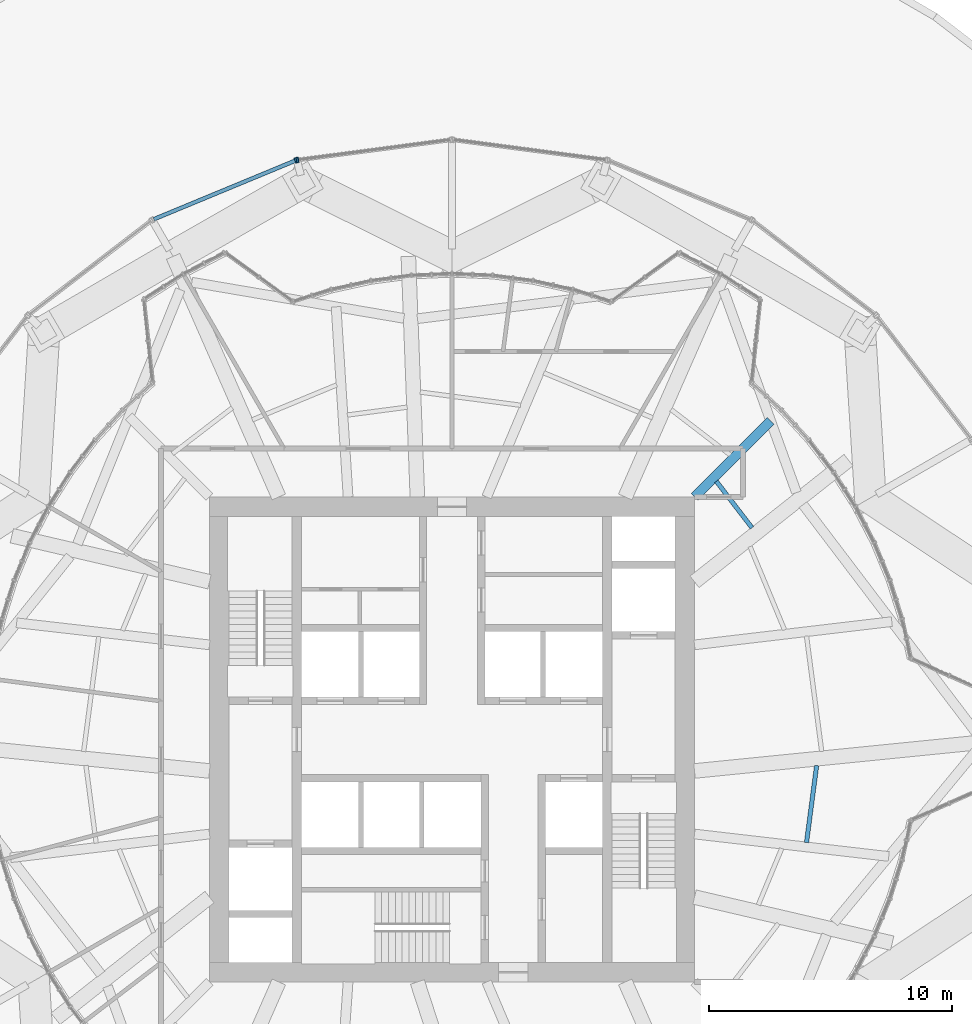
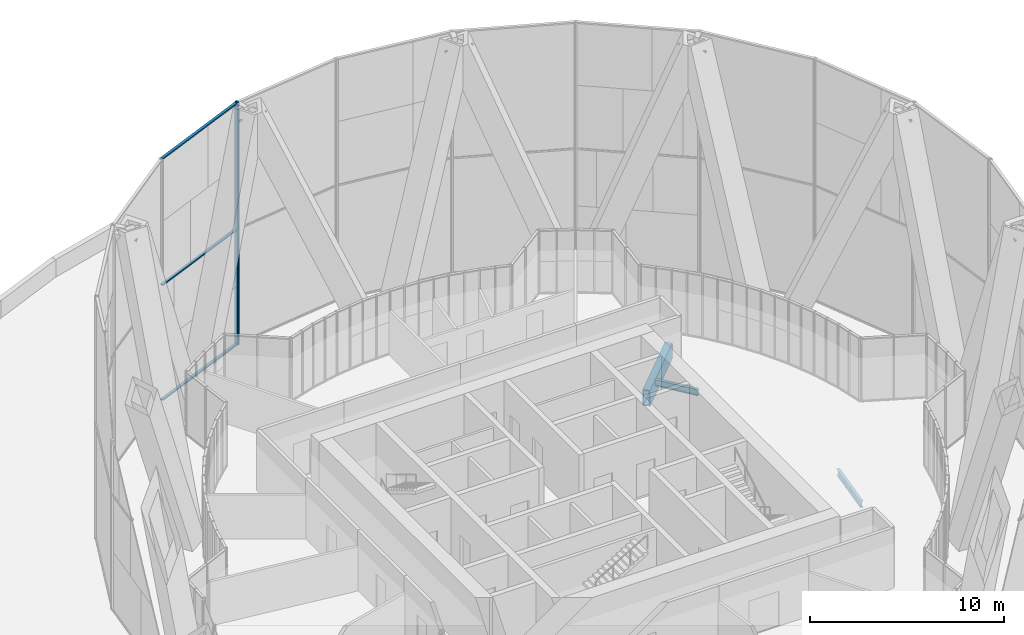
# One storey, part 7 of 27: 5 members, 3 beams, 2 elements without a shape of their own.
"""IFC4 building model written with IfcOpenShell, lengths in metres."""

from ifc_helpers import new_model, si_unit, direction, frame, origin, origin_2d, place, context, subcontext, project, spatial, rectangle, hollow_rectangle, i_section, extrude, material, material_profile, profile_set, type_object, element, aggregate, save


model = new_model("IFC4")

# Units and contexts
model_context = context("Model", 3, precision=1e-05, world=origin(), true_north=direction((0.0, 1.0)))
body_context = subcontext(model_context, "Body", "Model", "MODEL_VIEW")
ifc_project = project(units=[si_unit("LENGTHUNIT", "METRE"), si_unit("AREAUNIT", "SQUARE_METRE"), si_unit("VOLUMEUNIT", "CUBIC_METRE"), si_unit("PLANEANGLEUNIT", "RADIAN"), si_unit("MASSUNIT", "GRAM", prefix="KILO")], contexts=[model_context])

# Site, building, storey
site_placement = place(None, origin())
site = spatial("IfcSite", under=ifc_project, at=site_placement, CompositionType="ELEMENT")
building_placement = place(site_placement, origin())
building = spatial("IfcBuilding", under=site, at=building_placement, Name="Golbaran Civic Tower", CompositionType="ELEMENT")
storey_placement = place(building_placement, frame((0.0, 0.0, 21.0)))
storey = spatial("IfcBuildingStorey", under=building, at=storey_placement, Name="L04", CompositionType="ELEMENT", Elevation=21.0)

# Beams
ifc_material_1 = material(Name="Steel S355", Category="steel")
ifc_material_profile_1 = material_profile(ifc_material_1, i_section(OverallWidth=0.179931640625, OverallDepth=0.39990234375, WebThickness=0.008544921875, FlangeThickness=0.013427734375, FilletRadius=0.02099609375, at=origin_2d()), Name="IPE 400")
ifc_profile_set_1 = profile_set([ifc_material_profile_1], Name="Steel S355")
beam_type_1 = type_object("IfcBeamType", Name="FLOOR INFILL BEAM IPE 400", PredefinedType="BEAM", material=ifc_profile_set_1)
beam_1_placement = place(storey_placement, frame((12.368896484375, 8.72900390625, -0.39990234375), z_axis=(-0.608732944488, 0.79337519642, 0.0), x_axis=(-0.79337519642, -0.608732944488, 0.0)))
element("IfcBeam", 1, at=beam_1_placement, inside=storey, type_object=beam_type_1, Name="Infill beam 37.50 L04", PredefinedType="BEAM", context=body_context, shape_type="SweptSolid", body=[
    extrude(i_section(OverallWidth=0.179931640625, OverallDepth=0.39990234375, WebThickness=0.008544921875, FlangeThickness=0.013427734375, FilletRadius=0.02099609375, at=origin_2d()), origin(), (0.0, 0.0, 1.0), 2.414306640625),
])
beam_2_placement = place(storey_placement, frame((14.6181640625, -4.25244140625, -0.39990234375), z_axis=(0.130535378914, 0.991443651879, 0.0), x_axis=(-0.991443651879, 0.130535378914, 0.0)))
element("IfcBeam", 2, at=beam_2_placement, inside=storey, type_object=beam_type_1, Name="Infill beam 352.50 L04", PredefinedType="BEAM", context=body_context, shape_type="SweptSolid", body=[
    extrude(i_section(OverallWidth=0.179931640625, OverallDepth=0.39990234375, WebThickness=0.008544921875, FlangeThickness=0.013427734375, FilletRadius=0.02099609375, at=origin_2d()), origin(), (0.0, 0.0, 1.0), 3.201904296875),
])

# Curtain wall, member
ifc_material_2 = material(Name="Aluminium and glass", Category="aluminium")
curtain_wall_type = type_object("IfcCurtainWallType", Name="OUTER SKIN TERRACOTTA SCREEN", PredefinedType="NOTDEFINED", material=ifc_material_2)
curtain_wall_1_placement = place(storey_placement, origin())
curtain_wall_1 = element("IfcCurtainWall", 3, at=curtain_wall_1_placement, inside=storey, type_object=curtain_wall_type, Name="Outer skin L04 facet 7 CW3", ObjectType="OUTER SKIN", PredefinedType="USERDEFINED")
ifc_material_3 = material(Name="Aluminium", Category="aluminium")
ifc_material_profile_2 = material_profile(ifc_material_3, rectangle(XDim=0.219970703125, YDim=0.080078125, at=origin_2d()), Name="OUTER SKIN TERRACOTTA SCREEN MULLION")
ifc_profile_set_2 = profile_set([ifc_material_profile_2], Name="Aluminium")
member_type_1 = type_object("IfcMemberType", Name="OUTER SKIN TERRACOTTA SCREEN MULLION", PredefinedType="MULLION", material=ifc_profile_set_2)
member_1_placement = place(storey_placement, frame((-6.3623046875, 23.8974609375, 0.0), z_axis=(0.0, 0.0, 1.0), x_axis=(0.130526192255, -0.991444861369, 0.0)))
member_1 = element("IfcMember", 4, at=member_1_placement, type_object=member_type_1, Name="CW3 mullion 2", PredefinedType="MULLION", context=body_context, shape_type="SweptSolid", body=[
    extrude(rectangle(XDim=0.219970703125, YDim=0.080078125, at=origin_2d()), origin(), (0.0, 0.0, 1.0), 15.2900390625),
])
aggregate(curtain_wall_1, [member_1])

# Curtain wall, members
curtain_wall_2_placement = place(storey_placement, origin())
curtain_wall_2 = element("IfcCurtainWall", 5, at=curtain_wall_2_placement, inside=storey, type_object=curtain_wall_type, Name="Outer skin L04 facet 8 CW3", ObjectType="OUTER SKIN", PredefinedType="USERDEFINED")
member_2_placement = place(storey_placement, frame((-6.43896484375, 23.876953125, 0.0), z_axis=(0.0, 0.0, 1.0), x_axis=(0.382683432301, -0.923879532538, 0.0)))
member_2 = element("IfcMember", 6, at=member_2_placement, type_object=member_type_1, Name="CW3 mullion 1", PredefinedType="MULLION", context=body_context, shape_type="SweptSolid", body=[
    extrude(rectangle(XDim=0.219970703125, YDim=0.080078125, at=origin_2d()), origin(), (0.0, 0.0, 1.0), 15.2900390625),
])
ifc_material_profile_3 = material_profile(ifc_material_3, rectangle(XDim=0.159912109375, YDim=0.080078125, at=origin_2d()), Name="OUTER SKIN TERRACOTTA SCREEN TRANSOM")
ifc_profile_set_3 = profile_set([ifc_material_profile_3], Name="Aluminium")
member_type_2 = type_object("IfcMemberType", Name="OUTER SKIN TERRACOTTA SCREEN TRANSOM", PredefinedType="USERDEFINED", material=ifc_profile_set_3)
member_3_placement = place(storey_placement, frame((-6.475830078125, 23.861572265625, 0.0400390625), z_axis=(-0.923875546328, -0.38269305572, 0.0), x_axis=(0.38269305572, -0.923875546328, 0.0)))
member_3 = element("IfcMember", 7, at=member_3_placement, type_object=member_type_2, Name="CW3 transom 1.1", ObjectType="TRANSOM", PredefinedType="USERDEFINED", context=body_context, shape_type="SweptSolid", body=[
    extrude(rectangle(XDim=0.159912109375, YDim=0.080078125, at=origin_2d()), origin(), (0.0, 0.0, 1.0), 6.29736328125),
])
member_4_placement = place(storey_placement, frame((-6.475830078125, 23.861572265625, 7.2900390625), z_axis=(-0.923875546328, -0.38269305572, 0.0), x_axis=(0.38269305572, -0.923875546328, 0.0)))
member_4 = element("IfcMember", 8, at=member_4_placement, type_object=member_type_2, Name="CW3 transom 1.2", ObjectType="TRANSOM", PredefinedType="USERDEFINED", context=body_context, shape_type="SweptSolid", body=[
    extrude(rectangle(XDim=0.159912109375, YDim=0.080078125, at=origin_2d()), origin(), (0.0, 0.0, 1.0), 6.29736328125),
])
member_5_placement = place(storey_placement, frame((-6.475830078125, 23.861572265625, 15.25), z_axis=(-0.923875546328, -0.38269305572, 0.0), x_axis=(0.38269305572, -0.923875546328, 0.0)))
member_5 = element("IfcMember", 9, at=member_5_placement, type_object=member_type_2, Name="CW3 transom 1.3", ObjectType="TRANSOM", PredefinedType="USERDEFINED", context=body_context, shape_type="SweptSolid", body=[
    extrude(rectangle(XDim=0.159912109375, YDim=0.080078125, at=origin_2d()), origin(), (0.0, 0.0, 1.0), 6.29736328125),
])
aggregate(curtain_wall_2, [member_2, member_3, member_4, member_5])

# Beam
ifc_material_profile_4 = material_profile(ifc_material_1, hollow_rectangle(XDim=0.39990234375, YDim=1.0, WallThickness=0.050048828125, at=origin_2d()), Name="BOX 1000x400x50")
ifc_profile_set_4 = profile_set([ifc_material_profile_4], Name="Steel S355")
beam_type_2 = type_object("IfcBeamType", Name="SECONDARY FLOOR BEAM BOX 1000x400x50", PredefinedType="BEAM", material=ifc_profile_set_4)
beam_3_placement = place(storey_placement, frame((10.0, 10.0, -0.7099609375), z_axis=(0.707106781187, 0.707106781187, 0.0), x_axis=(-0.707106781187, 0.707106781187, 0.0)))
element("IfcBeam", 10, at=beam_3_placement, inside=storey, type_object=beam_type_2, Name="Secondary beam 45.00 L04", PredefinedType="BEAM", context=body_context, shape_type="SweptSolid", body=[
    extrude(hollow_rectangle(XDim=0.39990234375, YDim=1.0, WallThickness=0.050048828125, at=origin_2d()), origin(), (0.0, 0.0, 1.0), 4.438720703125),
])

save(model, "model.ifc")
